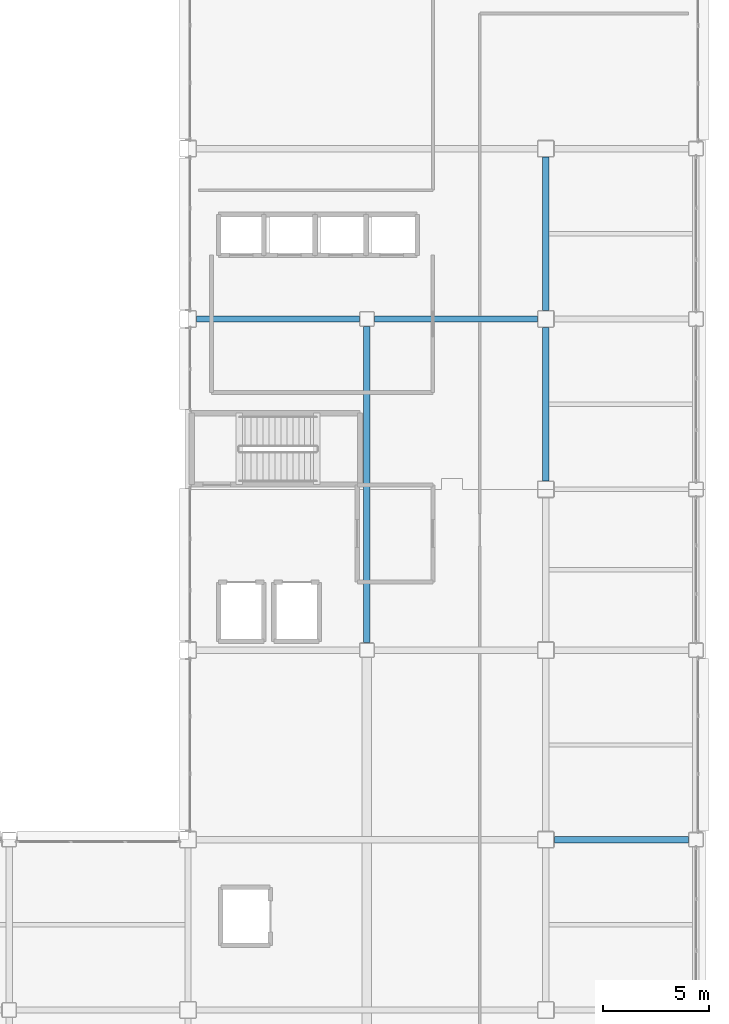
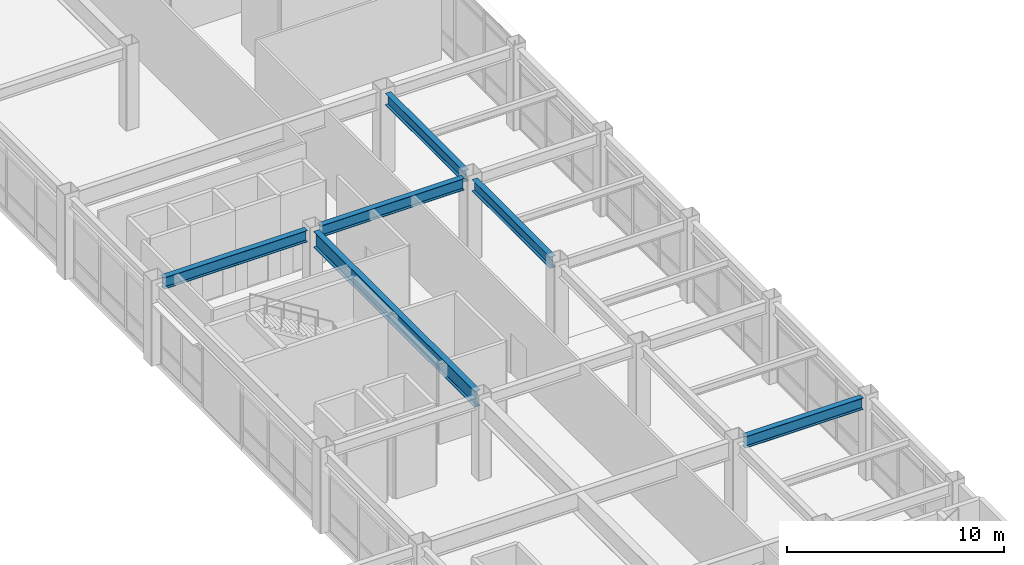
# One storey, part 94 of 154: 6 beams.
"""IFC4 building model written with IfcOpenShell, lengths in metres."""

from ifc_helpers import new_model, si_unit, direction, frame, origin, origin_2d, place, context, subcontext, project, spatial, i_section, extrude, material, material_profile, profile_set, type_object, element, save


model = new_model("IFC4")

# Units and contexts
model_context = context("Model", 3, precision=1e-05, world=origin(), true_north=direction((0.0, 1.0)))
body_context = subcontext(model_context, "Body", "Model", "MODEL_VIEW")
ifc_project = project(units=[si_unit("LENGTHUNIT", "METRE"), si_unit("AREAUNIT", "SQUARE_METRE"), si_unit("VOLUMEUNIT", "CUBIC_METRE"), si_unit("PLANEANGLEUNIT", "RADIAN"), si_unit("MASSUNIT", "GRAM", prefix="KILO")], contexts=[model_context])

# Site, building, storey
site_placement = place(None, origin())
site = spatial("IfcSite", under=ifc_project, at=site_placement, CompositionType="ELEMENT")
building_placement = place(site_placement, origin())
building = spatial("IfcBuilding", under=site, at=building_placement, Name="Kazehara Bluff Congress Hotel", CompositionType="ELEMENT")
storey_placement = place(building_placement, frame((0.0, 0.0, 10.199951171875)))
storey = spatial("IfcBuildingStorey", under=building, at=storey_placement, Name="L02", CompositionType="ELEMENT", Elevation=10.199951171875)

# Beams
ifc_material_1 = material(Name="Steel SN490B", Category="steel")
ifc_material_profile_1 = material_profile(ifc_material_1, i_section(OverallWidth=0.300048828125, OverallDepth=0.64990234375, WebThickness=0.011962890625, FlangeThickness=0.02001953125, FilletRadius=0.012939453125, at=origin_2d()))
ifc_profile_set_1 = profile_set([ifc_material_profile_1], Name="Steel SN490B")
beam_type_1 = type_object("IfcBeamType", Name="TP-G-03", PredefinedType="BEAM", material=ifc_profile_set_1)
for number, where, z_axis, x_axis, name in (
    (1, (160.5, 48.85009765625, 4.235107421875), (0.0, 1.0, 0.0), (-1.0, 0.0, 0.0), "L02 girder G-03 163"),
    (2, (160.5, 56.85009765625, 4.235107421875), (0.0, 1.0, 0.0), (-1.0, 0.0, 0.0), "L02 girder G-03 164"),
):
    element("IfcBeam", number, at=place(storey_placement, frame(where, z_axis=z_axis, x_axis=x_axis)), inside=storey, type_object=beam_type_1, Name=name, PredefinedType="BEAM", context=body_context, shape_type="SweptSolid", body=[
        extrude(i_section(OverallWidth=0.300048828125, OverallDepth=0.64990234375, WebThickness=0.011962890625, FlangeThickness=0.02001953125, FilletRadius=0.012939453125, at=origin_2d()), origin(), (0.0, 0.0, 1.0), 7.199951171875),
    ])
beam_1_placement = place(storey_placement, frame((160.89990234375, 32.0, 4.235107421875), z_axis=(1.0, 0.0, 0.0), x_axis=(0.0, 1.0, 0.0)))
element("IfcBeam", 3, at=beam_1_placement, inside=storey, type_object=beam_type_1, Name="L02 girder G-03 204", PredefinedType="BEAM", context=body_context, shape_type="SweptSolid", body=[
    extrude(i_section(OverallWidth=0.300048828125, OverallDepth=0.64990234375, WebThickness=0.011962890625, FlangeThickness=0.02001953125, FilletRadius=0.012939453125, at=origin_2d()), origin(), (0.0, 0.0, 1.0), 6.300048828125),
])
beam_2_placement = place(storey_placement, frame((144.10009765625, 56.449951171875, 4.235107421875), z_axis=(1.0, 0.0, 0.0), x_axis=(0.0, 1.0, 0.0)))
element("IfcBeam", 4, at=beam_2_placement, inside=storey, type_object=beam_type_1, Name="L02 girder G-03 209", PredefinedType="BEAM", context=body_context, shape_type="SweptSolid", body=[
    extrude(i_section(OverallWidth=0.300048828125, OverallDepth=0.64990234375, WebThickness=0.011962890625, FlangeThickness=0.02001953125, FilletRadius=0.012939453125, at=origin_2d()), origin(), (0.0, 0.0, 1.0), 7.64990234375),
])
beam_3_placement = place(storey_placement, frame((152.449951171875, 56.449951171875, 4.235107421875), z_axis=(1.0, 0.0, 0.0), x_axis=(0.0, 1.0, 0.0)))
element("IfcBeam", 5, at=beam_3_placement, inside=storey, type_object=beam_type_1, Name="L02 girder G-03 210", PredefinedType="BEAM", context=body_context, shape_type="SweptSolid", body=[
    extrude(i_section(OverallWidth=0.300048828125, OverallDepth=0.64990234375, WebThickness=0.011962890625, FlangeThickness=0.02001953125, FilletRadius=0.012939453125, at=origin_2d()), origin(), (0.0, 0.0, 1.0), 7.650146484375),
])
ifc_material_2 = material(Name="Steel SN490B", Category="steel")
ifc_material_profile_2 = material_profile(ifc_material_2, i_section(OverallWidth=0.300048828125, OverallDepth=0.89990234375, WebThickness=0.01611328125, FlangeThickness=0.028076171875, FilletRadius=0.01806640625, at=origin_2d()))
ifc_profile_set_2 = profile_set([ifc_material_profile_2], Name="Steel SN490B")
beam_type_2 = type_object("IfcBeamType", Name="TP-G-08", PredefinedType="BEAM", material=ifc_profile_set_2)
beam_4_placement = place(storey_placement, frame((152.10009765625, 41.25, 4.110107421875), z_axis=(0.0, 1.0, 0.0), x_axis=(-1.0, 0.0, 0.0)))
element("IfcBeam", 6, at=beam_4_placement, inside=storey, type_object=beam_type_2, Name="L02 girder G-08 154", PredefinedType="BEAM", context=body_context, shape_type="SweptSolid", body=[
    extrude(i_section(OverallWidth=0.300048828125, OverallDepth=0.89990234375, WebThickness=0.01611328125, FlangeThickness=0.028076171875, FilletRadius=0.01806640625, at=origin_2d()), origin(), (0.0, 0.0, 1.0), 14.85009765625),
])

save(model, "model.ifc")
